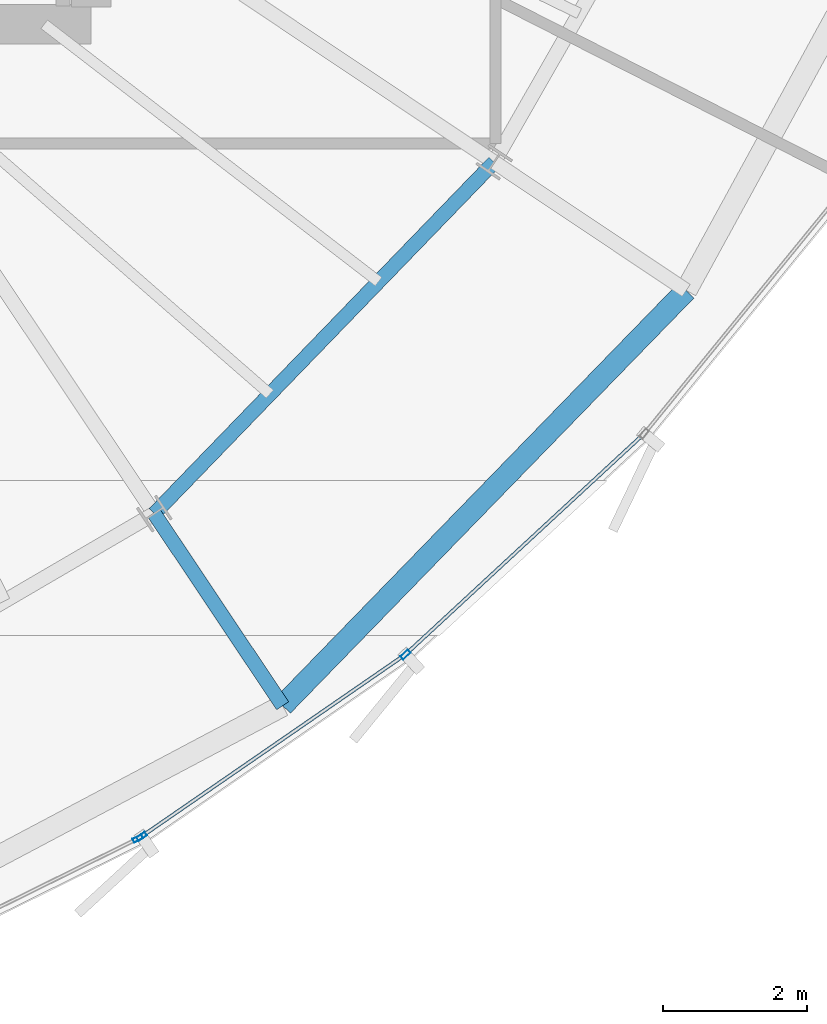
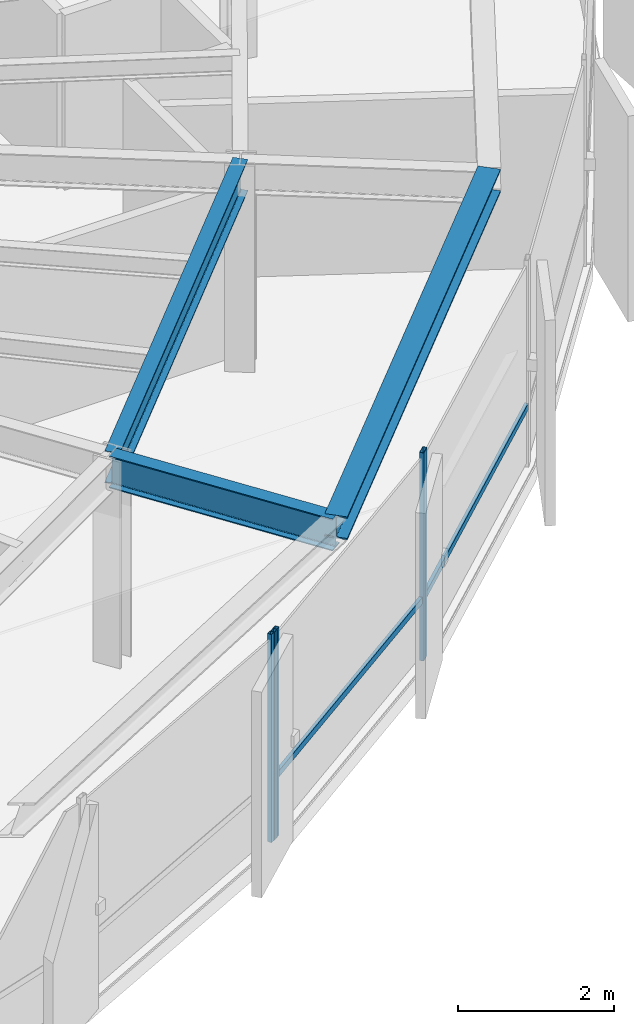
# One storey, part 13 of 34: 5 members, 3 beams, 2 elements without a shape of their own.
"""IFC4 building model written with IfcOpenShell, lengths in metres."""

from ifc_helpers import new_model, si_unit, direction, frame, origin, origin_2d, place, context, subcontext, project, spatial, hollow_rectangle, i_section, extrude, source, transform, mapped, material, layer, layer_set, material_profile, profile_set, type_object, element, aggregate, save


model = new_model("IFC4")

# Units and contexts
model_context = context("Model", 3, precision=1e-05, world=origin(), true_north=direction((0.0, 1.0)))
body_context = subcontext(model_context, "Body", "Model", "MODEL_VIEW")
ifc_project = project(units=[si_unit("LENGTHUNIT", "METRE"), si_unit("AREAUNIT", "SQUARE_METRE"), si_unit("VOLUMEUNIT", "CUBIC_METRE"), si_unit("PLANEANGLEUNIT", "RADIAN"), si_unit("MASSUNIT", "GRAM", prefix="KILO"), si_unit("THERMODYNAMICTEMPERATUREUNIT", "KELVIN")], contexts=[model_context])

# Site, building, storey
site_placement = place(None, origin())
site = spatial("IfcSite", under=ifc_project, at=site_placement, CompositionType="ELEMENT")
building_placement = place(site_placement, origin())
building = spatial("IfcBuilding", under=site, at=building_placement, Name="Kethvar Cultural Tower", CompositionType="ELEMENT")
storey_placement = place(building_placement, frame((0.0, 0.0, 190.39990234375)))
storey = spatial("IfcBuildingStorey", under=building, at=storey_placement, Name="L49", CompositionType="ELEMENT", Elevation=190.39990234375)

# Beams
ifc_material_1 = material(Name="Steel S355J2", Category="steel")
ifc_material_profile_1 = material_profile(ifc_material_1, i_section(OverallWidth=0.199951171875, OverallDepth=0.5, WebThickness=0.01025390625, FlangeThickness=0.01611328125, FilletRadius=0.02099609375, at=origin_2d()), Name="Steel S355J2 — IPE500")
ifc_profile_set_1 = profile_set([ifc_material_profile_1], Name="Steel S355J2 — IPE500")
beam_type_1 = type_object("IfcBeamType", Name="BM-IPE500", PredefinedType="BEAM", material=ifc_profile_set_1)
shared_shape_1 = source(origin(), body_context, "Body", "SweptSolid", [
    extrude(i_section(OverallWidth=0.199951171875, OverallDepth=0.5, WebThickness=0.01025390625, FlangeThickness=0.01611328125, FilletRadius=0.02099609375, at=origin_2d()), origin(), (0.0, 0.0, 1.0), 3.199951171875),
])
beam_1_placement = place(storey_placement, frame((56.474609375, 13.32080078125, 3.008056640625), z_axis=(0.555580212716, -0.831462943996, 0.0), x_axis=(0.831462943996, 0.555580212716, 0.0)))
element("IfcBeam", 1, at=beam_1_placement, inside=storey, type_object=beam_type_1, Name="L49 Perimeter Cantilever Beam RC-14", PredefinedType="BEAM", context=body_context, shape_type="MappedRepresentation", body=[
    mapped(shared_shape_1, transform((0.0, 0.0, 0.0), scale=1.0)),
])
shared_shape_2 = source(origin(), body_context, "Body", "SweptSolid", [
    extrude(i_section(OverallWidth=0.199951171875, OverallDepth=0.5, WebThickness=0.01025390625, FlangeThickness=0.01611328125, FilletRadius=0.02099609375, at=origin_2d()), origin(), (0.0, 0.0, 1.0), 6.77294921875),
])
beam_2_placement = place(storey_placement, frame((56.474609375, 13.32080078125, 3.008056640625), z_axis=(0.695111533644, 0.718901909717, 0.0), x_axis=(-0.718901909717, 0.695111533644, 0.0)))
element("IfcBeam", 2, at=beam_2_placement, inside=storey, type_object=beam_type_1, Name="L49 Column Ring Tie Beam CR-14", PredefinedType="BEAM", context=body_context, shape_type="MappedRepresentation", body=[
    mapped(shared_shape_2, transform((0.0, 0.0, 0.0), scale=1.0)),
])
ifc_material_profile_2 = material_profile(ifc_material_1, i_section(OverallWidth=0.300048828125, OverallDepth=0.360107421875, WebThickness=0.012451171875, FlangeThickness=0.0224609375, FilletRadius=0.027099609375, at=origin_2d()), Name="Steel S355J2 — HEB360")
ifc_profile_set_2 = profile_set([ifc_material_profile_2], Name="Steel S355J2 — HEB360")
beam_type_2 = type_object("IfcBeamType", Name="BM-SP360", PredefinedType="SPANDREL", material=ifc_profile_set_2)
shared_shape_3 = source(origin(), body_context, "Body", "SweptSolid", [
    extrude(i_section(OverallWidth=0.300048828125, OverallDepth=0.360107421875, WebThickness=0.012451171875, FlangeThickness=0.0224609375, FilletRadius=0.027099609375, at=origin_2d()), origin(), (0.0, 0.0, 1.0), 8.021240234375),
])
beam_3_placement = place(storey_placement, frame((58.25244140625, 10.66015625, 3.078125), z_axis=(0.696991461782, 0.71707942531, 0.0), x_axis=(-0.71707942531, 0.696991461782, 0.0)))
element("IfcBeam", 3, at=beam_3_placement, inside=storey, type_object=beam_type_2, Name="L49 Perimeter Spandrel Beam SP-14", PredefinedType="SPANDREL", context=body_context, shape_type="MappedRepresentation", body=[
    mapped(shared_shape_3, transform((0.0, 0.0, 0.0), scale=1.0)),
])

# Curtain wall, member
ifc_material_2 = material(Name="Aluminium 6063-T6", Category="aluminium")
ifc_layer = layer(ifc_material_2, 0.179931640625, Name="Aluminium 6063-T6", Category="aluminium")
ifc_layer_set = layer_set([ifc_layer], Name="Aluminium 6063-T6 (180 mm)")
curtain_wall_type = type_object("IfcCurtainWallType", Name="CW-SYS-04-Z34", PredefinedType="NOTDEFINED", material=ifc_layer_set)
curtain_wall_1_placement = place(storey_placement, origin())
curtain_wall_1 = element("IfcCurtainWall", 4, at=curtain_wall_1_placement, inside=storey, type_object=curtain_wall_type, Name="L49 Curtain Wall Run 05", PredefinedType="NOTDEFINED")
ifc_material_profile_3 = material_profile(ifc_material_2, hollow_rectangle(XDim=0.06005859375, YDim=0.139892578125, WallThickness=0.0048828125, at=origin_2d()), Name="Aluminium 6063-T6 — RHS140x60x5")
ifc_profile_set_3 = profile_set([ifc_material_profile_3], Name="Aluminium 6063-T6 — RHS140x60x5")
member_type_1 = type_object("IfcMemberType", Name="CW-SYS-04-Z34-MUL", PredefinedType="MULLION", material=ifc_profile_set_3)
shared_shape_4 = source(origin(), body_context, "Body", "SweptSolid", [
    extrude(hollow_rectangle(XDim=0.06005859375, YDim=0.139892578125, WallThickness=0.0048828125, at=origin_2d()), origin(), (0.0, 0.0, 1.0), 3.260009765625),
])
member_1_placement = place(storey_placement, frame((56.246337890625, 8.818115234375, 0.0), z_axis=(0.0, 0.0, 1.0), x_axis=(-0.443258940784, 0.896393614109, 0.0)))
member_1 = element("IfcMember", 5, at=member_1_placement, type_object=member_type_1, Name="CW-L49-R05 Mullion 7", PredefinedType="MULLION", context=body_context, shape_type="MappedRepresentation", body=[
    mapped(shared_shape_4, transform((0.0, 0.0, 0.0), scale=1.0)),
])
aggregate(curtain_wall_1, [member_1])

# Curtain wall, members
curtain_wall_2_placement = place(storey_placement, origin())
curtain_wall_2 = element("IfcCurtainWall", 6, at=curtain_wall_2_placement, inside=storey, type_object=curtain_wall_type, Name="L49 Curtain Wall Run 06", PredefinedType="NOTDEFINED")
member_2_placement = place(storey_placement, frame((56.299560546875, 8.849365234375, 0.0), z_axis=(0.0, 0.0, 1.0), x_axis=(-0.567815011828, 0.823156189519, 0.0)))
member_2 = element("IfcMember", 7, at=member_2_placement, type_object=member_type_1, Name="CW-L49-R06 Mullion 1", PredefinedType="MULLION", context=body_context, shape_type="MappedRepresentation", body=[
    mapped(shared_shape_4, transform((0.0, 0.0, 0.0), scale=1.0)),
])
member_3_placement = place(storey_placement, frame((59.953857421875, 11.36865234375, 0.0), z_axis=(0.0, 0.0, 1.0), x_axis=(-0.67917233259, 0.733978843459, 0.0)))
member_3 = element("IfcMember", 8, at=member_3_placement, type_object=member_type_1, Name="CW-L49-R06 Mullion 2", PredefinedType="MULLION", context=body_context, shape_type="MappedRepresentation", body=[
    mapped(shared_shape_4, transform((0.0, 0.0, 0.0), scale=1.0)),
])
ifc_material_profile_4 = material_profile(ifc_material_2, hollow_rectangle(XDim=0.050048828125, YDim=0.10009765625, WallThickness=0.00390625, at=origin_2d()), Name="Aluminium 6063-T6 — RHS100x50x4")
ifc_profile_set_4 = profile_set([ifc_material_profile_4], Name="Aluminium 6063-T6 — RHS100x50x4")
member_type_2 = type_object("IfcMemberType", Name="CW-SYS-04-Z34-TRN", PredefinedType="USERDEFINED", material=ifc_profile_set_4)
shared_shape_5 = source(origin(), body_context, "Body", "SweptSolid", [
    extrude(hollow_rectangle(XDim=0.050048828125, YDim=0.10009765625, WallThickness=0.00390625, at=origin_2d()), origin(), (0.0, 0.0, 1.0), 4.431884765625),
])
member_4_placement = place(storey_placement, frame((59.985595703125, 11.398193359375, 0.9501953125), z_axis=(0.733981350111, 0.67916962365, 0.0), x_axis=(-0.67916962365, 0.733981350111, 0.0)))
member_4 = element("IfcMember", 9, at=member_4_placement, type_object=member_type_2, Name="CW-L49-R06 Transom 2", ObjectType="TRANSOM", PredefinedType="USERDEFINED", context=body_context, shape_type="MappedRepresentation", body=[
    mapped(shared_shape_5, transform((0.0, 0.0, 0.0), scale=1.0)),
])
shared_shape_6 = source(origin(), body_context, "Body", "SweptSolid", [
    extrude(hollow_rectangle(XDim=0.050048828125, YDim=0.10009765625, WallThickness=0.00390625, at=origin_2d()), origin(), (0.0, 0.0, 1.0), 4.406982421875),
])
member_5_placement = place(storey_placement, frame((56.302978515625, 8.851806640625, 0.9501953125), z_axis=(0.823176178794, 0.567786032469, 0.0), x_axis=(-0.567786032469, 0.823176178794, 0.0)))
member_5 = element("IfcMember", 10, at=member_5_placement, type_object=member_type_2, Name="CW-L49-R06 Transom 1", ObjectType="TRANSOM", PredefinedType="USERDEFINED", context=body_context, shape_type="MappedRepresentation", body=[
    mapped(shared_shape_6, transform((0.0, 0.0, 0.0), scale=1.0)),
])
aggregate(curtain_wall_2, [member_2, member_3, member_5, member_4])

save(model, "model.ifc")
